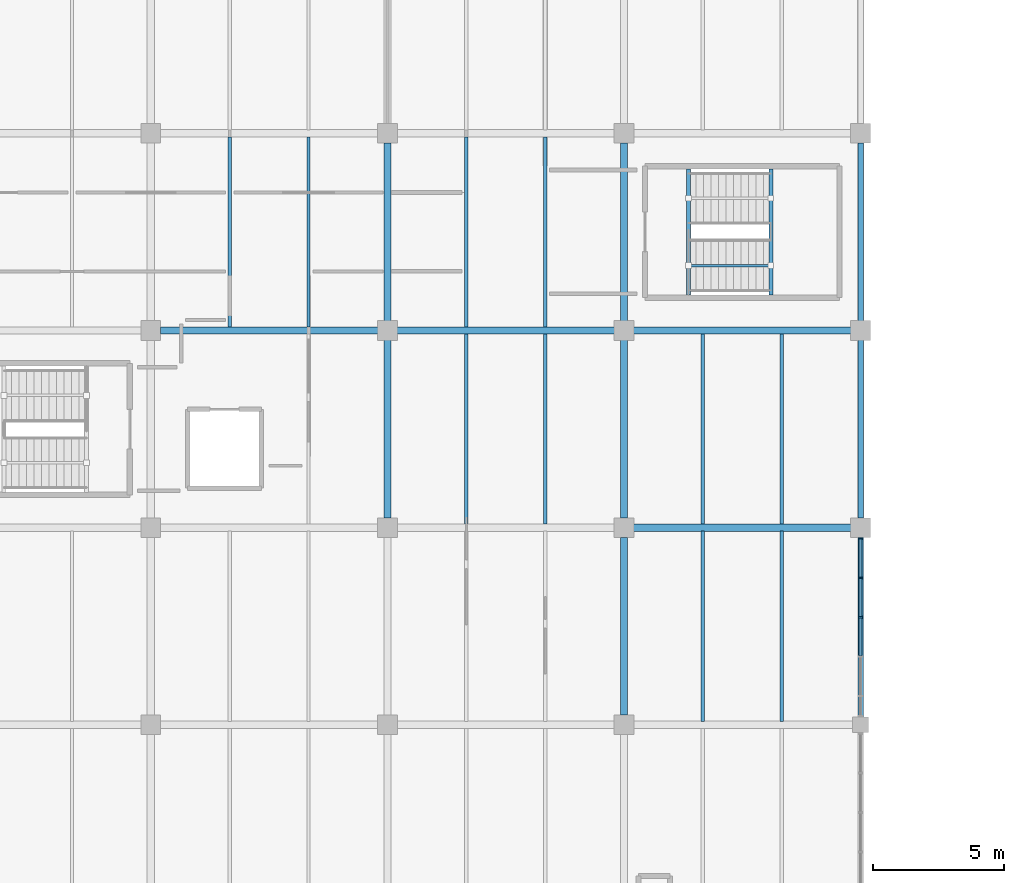
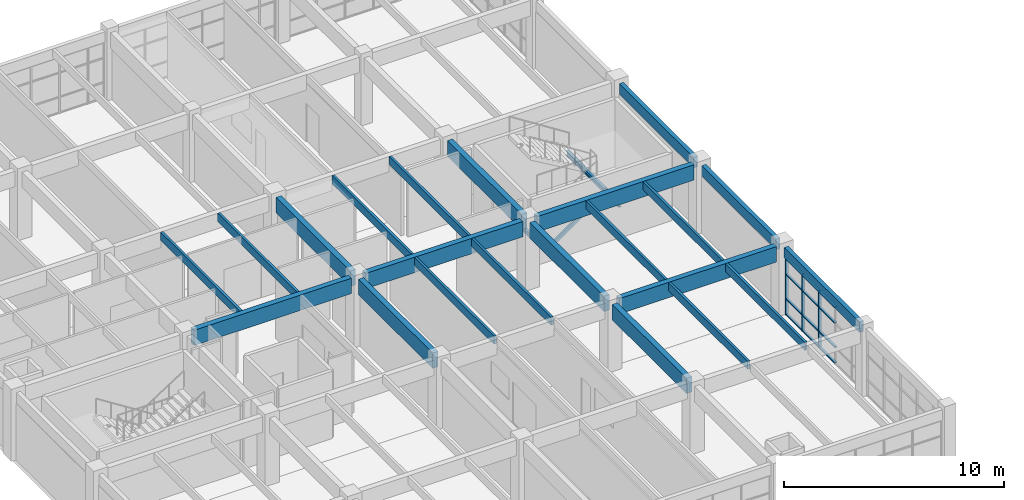
# One storey, part 25 of 76: 24 beams, 16 members, 1 element without a shape of its own.
"""IFC4 building model written with IfcOpenShell, lengths in metres."""

import ifcopenshell
import ifcopenshell.guid

model = None  # the IFC model being written
_history = None  # IfcOwnerHistory: only IFC2X3 demands one
_inside = {}  # id of a spatial element -> (the spatial element, [elements in it])
_under = {}  # id of a project, library or spatial element -> (it, [spatial elements below it])
_declared = {}  # id of a project -> (the project, [libraries it declares])
_typed = {}  # id of a type object -> (the type object, [elements of that type])
_made_of = {}  # id of a material, layer set ... -> (it, [elements and type objects made of it])


def new_model(schema):
    """Start an empty IFC model of exactly this schema.

    Asked for "IFC4X3", IfcOpenShell would pick the latest addendum, in which some entities
    have other attributes; the version numbers below select the first issue.
    IFC2X3 requires an IfcOwnerHistory on every rooted entity: one is made here for all.
    """
    global model, _history
    if schema == "IFC4X3":
        model = ifcopenshell.file(schema_version=(4, 3, 0, 0))
    else:
        model = ifcopenshell.file(schema=schema)
    _inside.clear()
    _under.clear()
    _declared.clear()
    _typed.clear()
    _made_of.clear()
    _history = None
    if model.schema == "IFC2X3":
        org = make("IfcOrganization", Name="unknown")
        user = make(
            "IfcPersonAndOrganization",
            ThePerson=make("IfcPerson", FamilyName="unknown"),
            TheOrganization=org,
        )
        app = make(
            "IfcApplication",
            ApplicationDeveloper=org,
            Version="unknown",
            ApplicationFullName="unknown",
            ApplicationIdentifier="unknown",
        )
        _history = make(
            "IfcOwnerHistory",
            OwningUser=user,
            OwningApplication=app,
            ChangeAction="ADDED",
            CreationDate=0,
        )
    return model


def make(cls, **values):
    """One entity of the class cls with the attributes given. An attribute that is None is left unset."""
    return model.create_entity(
        cls, **{name: value for name, value in values.items() if value is not None}
    )


def rooted(cls, **values):
    """An entity with a GlobalId (a new one), such as an element, a storey or a relation."""
    return make(cls, GlobalId=ifcopenshell.guid.new(), OwnerHistory=_history, **values)


def si_unit(unit_type, name, prefix=None):
    """IfcSIUnit, for example si_unit("LENGTHUNIT", "METRE", prefix="MILLI")."""
    return make("IfcSIUnit", UnitType=unit_type, Prefix=prefix, Name=name)


def assignment(units):
    """IfcUnitAssignment: the units of a project."""
    return None if units is None else make("IfcUnitAssignment", Units=units)


def point(xyz):
    """IfcCartesianPoint."""
    return None if xyz is None else make("IfcCartesianPoint", Coordinates=xyz)


def direction(xyz):
    """IfcDirection."""
    return None if xyz is None else make("IfcDirection", DirectionRatios=xyz)


def frame(location, z_axis=None, x_axis=None):
    """IfcAxis2Placement3D, a coordinate frame: its origin and axes. An axis left out is left unset."""
    return make(
        "IfcAxis2Placement3D",
        Location=point(location),
        Axis=direction(z_axis),
        RefDirection=direction(x_axis),
    )


def frame_2d(location, x_axis=None):
    """IfcAxis2Placement2D, a coordinate frame in the plane: its origin and x axis."""
    return make(
        "IfcAxis2Placement2D", Location=point(location), RefDirection=direction(x_axis)
    )


def origin():
    """The frame at (0, 0, 0) with its axes left unset."""
    return frame((0.0, 0.0, 0.0))


def origin_2d():
    """The frame at (0, 0) in the plane with its x axis left unset."""
    return frame_2d((0.0, 0.0))


def place(relative_to, where):
    """IfcLocalPlacement: puts the frame where relative to a parent placement (None: the world)."""
    return make(
        "IfcLocalPlacement", PlacementRelTo=relative_to, RelativePlacement=where
    )


def context(
    kind, dimensions, precision=None, world=None, true_north=None, identifier=None
):
    """IfcGeometricRepresentationContext, for example the 3D "Model" context."""
    return make(
        "IfcGeometricRepresentationContext",
        ContextIdentifier=identifier,
        ContextType=kind,
        CoordinateSpaceDimension=dimensions,
        Precision=precision,
        WorldCoordinateSystem=world,
        TrueNorth=true_north,
    )


def subcontext(parent, identifier, kind, view, scale=None):
    """IfcGeometricRepresentationSubContext, for example "Body" below "Model"."""
    return make(
        "IfcGeometricRepresentationSubContext",
        ContextIdentifier=identifier,
        ContextType=kind,
        ParentContext=parent,
        TargetScale=scale,
        TargetView=view,
    )


def project(units=None, contexts=None):
    """IfcProject with its units and contexts."""
    return rooted(
        "IfcProject",
        Name="project",
        RepresentationContexts=contexts,
        UnitsInContext=assignment(units),
    )


def spatial(cls, under=None, at=None, **own):
    """A site, building, storey or space (cls), placed at a placement, below another one or the project."""
    s = rooted(cls, ObjectPlacement=at, **own)
    if under is not None:
        _under.setdefault(under.id(), (under, []))[1].append(s)
    return s


def profile(cls, at=None, kind="AREA", **sizes):
    """A parametric profile (cls). Its sizes go by their IFC names, for example OverallWidth=200.0."""
    return make(cls, ProfileType=kind, Position=at, **sizes)


def rectangle(**sizes):
    """IfcRectangleProfileDef."""
    return profile("IfcRectangleProfileDef", **sizes)


def hollow_rectangle(**sizes):
    """IfcRectangleHollowProfileDef."""
    return profile("IfcRectangleHollowProfileDef", **sizes)


def i_section(**sizes):
    """IfcIShapeProfileDef."""
    return profile("IfcIShapeProfileDef", **sizes)


def extrude(swept, where, along, depth):
    """IfcExtrudedAreaSolid: the profile swept, set in the frame where, extruded along a direction by depth."""
    return make(
        "IfcExtrudedAreaSolid",
        SweptArea=swept,
        Position=where,
        ExtrudedDirection=direction(along),
        Depth=depth,
    )


def shape(context_of_items, identifier, shape_type, items):
    """IfcShapeRepresentation: the items that make up one representation, for example the "Body"."""
    return make(
        "IfcShapeRepresentation",
        ContextOfItems=context_of_items,
        RepresentationIdentifier=identifier,
        RepresentationType=shape_type,
        Items=items,
    )


def material(Name=None, Category=None):
    """IfcMaterial."""
    return make("IfcMaterial", Name=Name, Category=Category)


def layer(
    of_material, thickness, ventilated=None, Name=None, Category=None, Priority=None
):
    """IfcMaterialLayer: one layer of a wall or slab, of a material (None: an air gap)."""
    return make(
        "IfcMaterialLayer",
        Material=of_material,
        LayerThickness=thickness,
        IsVentilated=ventilated,
        Name=Name,
        Category=Category,
        Priority=Priority,
    )


def layer_set(layers, Name=None):
    """IfcMaterialLayerSet."""
    return make("IfcMaterialLayerSet", MaterialLayers=layers, LayerSetName=Name)


def material_profile(
    of_material, cross_section, Name=None, Category=None, Priority=None
):
    """IfcMaterialProfile: a cross section and its material."""
    return make(
        "IfcMaterialProfile",
        Name=Name,
        Material=of_material,
        Profile=cross_section,
        Priority=Priority,
        Category=Category,
    )


def profile_set(profiles, Name=None, composite=None):
    """IfcMaterialProfileSet."""
    return make(
        "IfcMaterialProfileSet",
        Name=Name,
        MaterialProfiles=profiles,
        CompositeProfile=composite,
    )


def made_of(thing, what):
    """Note that an element or type object is made of a material, layer set ...; save() writes the relation."""
    if what is not None:
        _made_of.setdefault(what.id(), (what, []))[1].append(thing)
    return thing


def type_object(cls, material=None, **own):
    """A type object (cls), such as IfcWallType, which elements share."""
    return made_of(rooted(cls, **own), material)


def element(
    cls,
    number,
    at=None,
    inside=None,
    cuts=None,
    type_object=None,
    material=None,
    context=None,
    identifier="Body",
    shape_type=None,
    held_by="IfcProductDefinitionShape",
    body=None,
    shapes=None,
    **own,
):
    """One element of the class cls, such as IfcWall. Its Tag is "e" and its number.

    at: its placement. inside: the storey or other place that contains it. cuts: it is an
    opening in that element (IfcRelVoidsElement). A single representation is given by context,
    identifier, shape_type and body (its items); several are given by shapes. held_by: the class
    of the entity that holds the representations. save() writes the other relations.
    """
    e = rooted(cls, Tag="e%d" % number, ObjectPlacement=at, **own)
    if body is not None:
        shapes = [shape(context, identifier, shape_type, body)]
    if shapes is not None:
        e.Representation = make(held_by, Representations=shapes)
    if inside is not None:
        _inside.setdefault(inside.id(), (inside, []))[1].append(e)
    if cuts is not None:
        rooted(
            "IfcRelVoidsElement", RelatingBuildingElement=cuts, RelatedOpeningElement=e
        )
    if type_object is not None:
        _typed.setdefault(type_object.id(), (type_object, []))[1].append(e)
    return made_of(e, material)


def aggregate(whole, parts):
    """IfcRelAggregates: a whole, such as a stair, and the parts it consists of."""
    return rooted("IfcRelAggregates", RelatingObject=whole, RelatedObjects=parts)


def save(model, path):
    """Write the relations noted so far, then the file.

    IfcRelAggregates (storeys below a building ...), IfcRelContainedInSpatialStructure (elements
    in a storey), IfcRelDefinesByType, IfcRelAssociatesMaterial and IfcRelDeclares: one each for
    every whole, place, type object, material and project.
    """
    for whole, parts in _under.values():
        aggregate(whole, parts)
    for where, things in _inside.values():
        rooted(
            "IfcRelContainedInSpatialStructure",
            RelatedElements=things,
            RelatingStructure=where,
        )
    for kind, things in _typed.values():
        rooted("IfcRelDefinesByType", RelatedObjects=things, RelatingType=kind)
    for what, things in _made_of.values():
        rooted("IfcRelAssociatesMaterial", RelatedObjects=things, RelatingMaterial=what)
    for by, libraries in _declared.values():
        rooted("IfcRelDeclares", RelatingContext=by, RelatedDefinitions=libraries)
    model.write(path)


model = new_model("IFC4")

# Units and contexts
model_context = context("Model", 3, precision=1e-05, world=origin(), true_north=direction((0.0, 1.0)))
body_context = subcontext(model_context, "Body", "Model", "MODEL_VIEW")
ifc_project = project(units=[si_unit("LENGTHUNIT", "METRE"), si_unit("AREAUNIT", "SQUARE_METRE"), si_unit("VOLUMEUNIT", "CUBIC_METRE"), si_unit("PLANEANGLEUNIT", "RADIAN"), si_unit("MASSUNIT", "GRAM", prefix="KILO")], contexts=[model_context])

# Site, building, storey
site_placement = place(None, origin())
site = spatial("IfcSite", under=ifc_project, at=site_placement, CompositionType="ELEMENT")
building_placement = place(site_placement, origin())
building = spatial("IfcBuilding", under=site, at=building_placement, Name="Marnridge Secondary College", CompositionType="ELEMENT")
storey_placement = place(building_placement, frame((0.0, 0.0, 4.5)))
storey = spatial("IfcBuildingStorey", under=building, at=storey_placement, Name="L01", CompositionType="ELEMENT", Elevation=4.5)

# Beams
ifc_material_1 = material(Name="Glulam timber GL18", Category="wood")
ifc_material_profile_1 = material_profile(ifc_material_1, rectangle(XDim=0.215087890625, YDim=0.5849609375, at=origin_2d()), Name="GL18 215x585")
ifc_profile_set_1 = profile_set([ifc_material_profile_1], Name="Glulam timber GL18")
beam_type_1 = type_object("IfcBeamType", Name="BM-GL585-EXT", PredefinedType="SPANDREL", material=ifc_profile_set_1)
beam_1_placement = place(storey_placement, frame((90.0, 45.2939453125, 3.447509765625), z_axis=(0.0, 1.0, 0.0), x_axis=(-1.0, 0.0, 0.0)))
element("IfcBeam", 1, at=beam_1_placement, inside=storey, type_object=beam_type_1, Name="Beam BS-L01-0459", PredefinedType="SPANDREL", context=body_context, shape_type="SweptSolid", body=[
    extrude(rectangle(XDim=0.215087890625, YDim=0.5849609375, at=origin_2d()), origin(), (0.0, 0.0, 1.0), 6.837158203125),
])
for number, where, z_axis, x_axis, name in (
    (2, (90.0, 52.868896484375, 3.447509765625), (0.0, 1.0, 0.0), (-1.0, 0.0, 0.0), "Beam BS-L01-0461"),
    (3, (90.0, 60.368896484375, 3.447509765625), (0.0, 1.0, 0.0), (-1.0, 0.0, 0.0), "Beam BS-L01-0463"),
):
    element("IfcBeam", number, at=place(storey_placement, frame(where, z_axis=z_axis, x_axis=x_axis)), inside=storey, type_object=beam_type_1, Name=name, PredefinedType="SPANDREL", context=body_context, shape_type="SweptSolid", body=[
        extrude(rectangle(XDim=0.215087890625, YDim=0.5849609375, at=origin_2d()), origin(), (0.0, 0.0, 1.0), 6.76220703125),
    ])
ifc_material_2 = material(Name="Glulam timber GL18", Category="wood")
ifc_material_profile_2 = material_profile(ifc_material_2, rectangle(XDim=0.280029296875, YDim=0.85498046875, at=origin_2d()), Name="GL18 280x855")
ifc_profile_set_2 = profile_set([ifc_material_profile_2], Name="Glulam timber GL18")
beam_type_2 = type_object("IfcBeamType", Name="BM-GL855-INT", PredefinedType="BEAM", material=ifc_profile_set_2)
beam_2_placement = place(storey_placement, frame((63.368896484375, 60.0, 3.3125), z_axis=(1.0, 0.0, 0.0), x_axis=(0.0, 1.0, 0.0)))
element("IfcBeam", 4, at=beam_2_placement, inside=storey, type_object=beam_type_2, Name="Beam B-L01-0436", PredefinedType="BEAM", context=body_context, shape_type="SweptSolid", body=[
    extrude(rectangle(XDim=0.280029296875, YDim=0.85498046875, at=origin_2d()), origin(), (0.0, 0.0, 1.0), 8.26220703125),
])
for number, where, z_axis, x_axis, name in (
    (5, (72.0, 52.868896484375, 3.3125), (0.0, 1.0, 0.0), (-1.0, 0.0, 0.0), "Beam B-L01-0437"),
    (6, (72.0, 60.368896484375, 3.3125), (0.0, 1.0, 0.0), (-1.0, 0.0, 0.0), "Beam B-L01-0439"),
):
    element("IfcBeam", number, at=place(storey_placement, frame(where, z_axis=z_axis, x_axis=x_axis)), inside=storey, type_object=beam_type_2, Name=name, PredefinedType="BEAM", context=body_context, shape_type="SweptSolid", body=[
        extrude(rectangle(XDim=0.280029296875, YDim=0.85498046875, at=origin_2d()), origin(), (0.0, 0.0, 1.0), 6.76220703125),
    ])
beam_3_placement = place(storey_placement, frame((72.368896484375, 60.0, 3.3125), z_axis=(1.0, 0.0, 0.0), x_axis=(0.0, 1.0, 0.0)))
element("IfcBeam", 7, at=beam_3_placement, inside=storey, type_object=beam_type_2, Name="Beam B-L01-0445", PredefinedType="BEAM", context=body_context, shape_type="SweptSolid", body=[
    extrude(rectangle(XDim=0.280029296875, YDim=0.85498046875, at=origin_2d()), origin(), (0.0, 0.0, 1.0), 8.26220703125),
])
for number, where, z_axis, x_axis, name in (
    (8, (81.0, 52.868896484375, 3.3125), (0.0, 1.0, 0.0), (-1.0, 0.0, 0.0), "Beam B-L01-0446"),
    (9, (81.0, 60.368896484375, 3.3125), (0.0, 1.0, 0.0), (-1.0, 0.0, 0.0), "Beam B-L01-0448"),
):
    element("IfcBeam", number, at=place(storey_placement, frame(where, z_axis=z_axis, x_axis=x_axis)), inside=storey, type_object=beam_type_2, Name=name, PredefinedType="BEAM", context=body_context, shape_type="SweptSolid", body=[
        extrude(rectangle(XDim=0.280029296875, YDim=0.85498046875, at=origin_2d()), origin(), (0.0, 0.0, 1.0), 6.76220703125),
    ])
beam_4_placement = place(storey_placement, frame((81.368896484375, 52.5, 3.3125), z_axis=(1.0, 0.0, 0.0), x_axis=(0.0, 1.0, 0.0)))
element("IfcBeam", 10, at=beam_4_placement, inside=storey, type_object=beam_type_2, Name="Beam B-L01-0457", PredefinedType="BEAM", context=body_context, shape_type="SweptSolid", body=[
    extrude(rectangle(XDim=0.280029296875, YDim=0.85498046875, at=origin_2d()), origin(), (0.0, 0.0, 1.0), 8.26220703125),
])
beam_5_placement = place(storey_placement, frame((81.0, 45.368896484375, 3.3125), z_axis=(0.0, 1.0, 0.0), x_axis=(-1.0, 0.0, 0.0)))
element("IfcBeam", 11, at=beam_5_placement, inside=storey, type_object=beam_type_2, Name="Beam B-L01-0458", PredefinedType="BEAM", context=body_context, shape_type="SweptSolid", body=[
    extrude(rectangle(XDim=0.280029296875, YDim=0.85498046875, at=origin_2d()), origin(), (0.0, 0.0, 1.0), 6.76220703125),
])
beam_6_placement = place(storey_placement, frame((81.368896484375, 60.0, 3.3125), z_axis=(1.0, 0.0, 0.0), x_axis=(0.0, 1.0, 0.0)))
element("IfcBeam", 12, at=beam_6_placement, inside=storey, type_object=beam_type_2, Name="Beam B-L01-0460", PredefinedType="BEAM", context=body_context, shape_type="SweptSolid", body=[
    extrude(rectangle(XDim=0.280029296875, YDim=0.85498046875, at=origin_2d()), origin(), (0.0, 0.0, 1.0), 8.26220703125),
])
ifc_material_3 = material(Name="Engineered timber LVL E13.2", Category="wood")
ifc_material_profile_3 = material_profile(ifc_material_3, rectangle(XDim=0.1259765625, YDim=0.449951171875, at=origin_2d()), Name="LVL 126x450")
ifc_profile_set_3 = profile_set([ifc_material_profile_3], Name="Engineered timber LVL E13.2")
beam_type_3 = type_object("IfcBeamType", Name="BM-LVL450-INT", PredefinedType="JOIST", material=ifc_profile_set_3)
for number, where, z_axis, x_axis, name in (
    (13, (66.0, 60.134033203125, 3.514892578125), (0.0, 1.0, 0.0), (-1.0, 0.0, 0.0), "Beam BJ-L01-0485"),
    (14, (69.0, 60.134033203125, 3.514892578125), (0.0, 1.0, 0.0), (-1.0, 0.0, 0.0), "Beam BJ-L01-0486"),
    (15, (75.0, 52.634033203125, 3.514892578125), (0.0, 1.0, 0.0), (-1.0, 0.0, 0.0), "Beam BJ-L01-0491"),
    (16, (78.0, 52.634033203125, 3.514892578125), (0.0, 1.0, 0.0), (-1.0, 0.0, 0.0), "Beam BJ-L01-0492"),
    (17, (75.0, 60.134033203125, 3.514892578125), (0.0, 1.0, 0.0), (-1.0, 0.0, 0.0), "Beam BJ-L01-0493"),
    (18, (78.0, 60.134033203125, 3.514892578125), (0.0, 1.0, 0.0), (-1.0, 0.0, 0.0), "Beam BJ-L01-0494"),
    (19, (84.0, 45.134033203125, 3.514892578125), (0.0, 1.0, 0.0), (-1.0, 0.0, 0.0), "Beam BJ-L01-0501"),
    (20, (87.0, 45.134033203125, 3.514892578125), (0.0, 1.0, 0.0), (-1.0, 0.0, 0.0), "Beam BJ-L01-0502"),
    (21, (84.0, 52.634033203125, 3.514892578125), (0.0, 1.0, 0.0), (-1.0, 0.0, 0.0), "Beam BJ-L01-0503"),
    (22, (87.0, 52.634033203125, 3.514892578125), (0.0, 1.0, 0.0), (-1.0, 0.0, 0.0), "Beam BJ-L01-0504"),
):
    element("IfcBeam", number, at=place(storey_placement, frame(where, z_axis=z_axis, x_axis=x_axis)), inside=storey, type_object=beam_type_3, Name=name, PredefinedType="JOIST", context=body_context, shape_type="SweptSolid", body=[
        extrude(rectangle(XDim=0.1259765625, YDim=0.449951171875, at=origin_2d()), origin(), (0.0, 0.0, 1.0), 7.23193359375),
    ])
ifc_material_4 = material(Name="Structural steel Grade 350 (AS/NZS 3679.1/.2, fy = 340-360 MPa)", Category="steel")
ifc_material_profile_4 = material_profile(ifc_material_4, i_section(OverallWidth=0.146240234375, OverallDepth=0.256103515625, WebThickness=0.00634765625, FlangeThickness=0.010986328125, FilletRadius=0.0087890625, at=origin_2d()), Name="250UB37.3")
ifc_profile_set_4 = profile_set([ifc_material_profile_4], Name="Structural steel Grade 350 (AS/NZS 3679.1/.2, fy = 340-360 MPa)")
beam_type_4 = type_object("IfcBeamType", Name="BM-UB250-EXT", PredefinedType="LINTEL", material=ifc_profile_set_4)
for number, where, z_axis, x_axis, name in (
    (23, (83.449951171875, 61.342041015625, -0.548095703125), (0.0, 1.0, 0.0), (-1.0, 0.0, 0.0), "Stair landing trimmer beam BT-L01-012"),
    (24, (86.5849609375, 61.342041015625, 1.671875), (0.0, 1.0, 0.0), (-1.0, 0.0, 0.0), "Stair landing trimmer beam BT-L01-013"),
):
    element("IfcBeam", number, at=place(storey_placement, frame(where, z_axis=z_axis, x_axis=x_axis)), inside=storey, type_object=beam_type_4, Name=name, PredefinedType="LINTEL", context=body_context, shape_type="SweptSolid", body=[
        extrude(i_section(OverallWidth=0.146240234375, OverallDepth=0.256103515625, WebThickness=0.00634765625, FlangeThickness=0.010986328125, FilletRadius=0.0087890625, at=origin_2d()), origin(), (0.0, 0.0, 1.0), 4.802978515625),
    ])

# Curtain wall, members
ifc_material_5 = material(Name="Thermally broken aluminium and low-E glazing", Category="aluminium")
ifc_layer = layer(ifc_material_5, 0.159912109375)
ifc_layer_set = layer_set([ifc_layer], Name="CW-MOD-1500")
curtain_wall_type = type_object("IfcCurtainWallType", Name="CW-MOD-1500", PredefinedType="NOTDEFINED", material=ifc_layer_set)
curtain_wall_placement = place(storey_placement, origin())
curtain_wall = element("IfcCurtainWall", 25, at=curtain_wall_placement, inside=storey, type_object=curtain_wall_type, Name="Unitised curtain wall CW-L01-033", PredefinedType="NOTDEFINED")
ifc_material_6 = material(Name="Anodised aluminium 6063-T6", Category="aluminium")
ifc_material_profile_5 = material_profile(ifc_material_6, rectangle(XDim=0.06005859375, YDim=0.159912109375, at=origin_2d()), Name="ALU 60x160")
ifc_profile_set_5 = profile_set([ifc_material_profile_5], Name="Anodised aluminium 6063-T6")
member_type_1 = type_object("IfcMemberType", Name="CWM-ALU160", PredefinedType="MULLION", material=ifc_profile_set_5)
member_1_placement = place(storey_placement, frame((90.0, 52.091064453125, 0.0), z_axis=(0.0, 0.0, 1.0), x_axis=(0.0, -1.0, 0.0)))
member_1 = element("IfcMember", 26, at=member_1_placement, type_object=member_type_1, Name="CW-L01-033 mullion 1", PredefinedType="MULLION", context=body_context, shape_type="SweptSolid", body=[
    extrude(rectangle(XDim=0.06005859375, YDim=0.159912109375, at=origin_2d()), origin(), (0.0, 0.0, 1.0), 3.14697265625),
])
member_2_placement = place(storey_placement, frame((90.0, 50.591064453125, 0.0), z_axis=(0.0, 0.0, 1.0), x_axis=(0.0, -1.0, 0.0)))
member_2 = element("IfcMember", 27, at=member_2_placement, type_object=member_type_1, Name="CW-L01-033 mullion 2", PredefinedType="MULLION", context=body_context, shape_type="SweptSolid", body=[
    extrude(rectangle(XDim=0.06005859375, YDim=0.159912109375, at=origin_2d()), origin(), (0.0, 0.0, 1.0), 3.14697265625),
])
member_3_placement = place(storey_placement, frame((90.0, 49.091064453125, 0.0), z_axis=(0.0, 0.0, 1.0), x_axis=(0.0, -1.0, 0.0)))
member_3 = element("IfcMember", 28, at=member_3_placement, type_object=member_type_1, Name="CW-L01-033 mullion 3", PredefinedType="MULLION", context=body_context, shape_type="SweptSolid", body=[
    extrude(rectangle(XDim=0.06005859375, YDim=0.159912109375, at=origin_2d()), origin(), (0.0, 0.0, 1.0), 3.14697265625),
])
ifc_material_7 = material(Name="Anodised aluminium 6063-T6", Category="aluminium")
ifc_material_profile_6 = material_profile(ifc_material_7, rectangle(XDim=0.06005859375, YDim=0.1201171875, at=origin_2d()), Name="ALU 60x120")
ifc_profile_set_6 = profile_set([ifc_material_profile_6], Name="Anodised aluminium 6063-T6")
member_type_2 = type_object("IfcMemberType", Name="CWT-ALU120", PredefinedType="USERDEFINED", material=ifc_profile_set_6)
member_4_placement = place(storey_placement, frame((90.0, 52.06103515625, 0.030029296875), z_axis=(0.0, -1.0, 0.0), x_axis=(0.0, 0.0, 1.0)))
member_4 = element("IfcMember", 29, at=member_4_placement, type_object=member_type_2, Name="CW-L01-033 transom 1.1", ObjectType="TRANSOM", PredefinedType="USERDEFINED", context=body_context, shape_type="SweptSolid", body=[
    extrude(rectangle(XDim=0.06005859375, YDim=0.1201171875, at=origin_2d()), origin(), (0.0, 0.0, 1.0), 1.43994140625),
])
member_5_placement = place(storey_placement, frame((90.0, 52.06103515625, 0.89990234375), z_axis=(0.0, -1.0, 0.0), x_axis=(0.0, 0.0, 1.0)))
member_5 = element("IfcMember", 30, at=member_5_placement, type_object=member_type_2, Name="CW-L01-033 transom 1.2", ObjectType="TRANSOM", PredefinedType="USERDEFINED", context=body_context, shape_type="SweptSolid", body=[
    extrude(rectangle(XDim=0.06005859375, YDim=0.1201171875, at=origin_2d()), origin(), (0.0, 0.0, 1.0), 1.43994140625),
])
member_6_placement = place(storey_placement, frame((90.0, 52.06103515625, 2.25), z_axis=(0.0, -1.0, 0.0), x_axis=(0.0, 0.0, 1.0)))
member_6 = element("IfcMember", 31, at=member_6_placement, type_object=member_type_2, Name="CW-L01-033 transom 1.3", ObjectType="TRANSOM", PredefinedType="USERDEFINED", context=body_context, shape_type="SweptSolid", body=[
    extrude(rectangle(XDim=0.06005859375, YDim=0.1201171875, at=origin_2d()), origin(), (0.0, 0.0, 1.0), 1.43994140625),
])
member_7_placement = place(storey_placement, frame((90.0, 52.06103515625, 3.116943359375), z_axis=(0.0, -1.0, 0.0), x_axis=(0.0, 0.0, 1.0)))
member_7 = element("IfcMember", 32, at=member_7_placement, type_object=member_type_2, Name="CW-L01-033 transom 1.4", ObjectType="TRANSOM", PredefinedType="USERDEFINED", context=body_context, shape_type="SweptSolid", body=[
    extrude(rectangle(XDim=0.06005859375, YDim=0.1201171875, at=origin_2d()), origin(), (0.0, 0.0, 1.0), 1.43994140625),
])
member_8_placement = place(storey_placement, frame((90.0, 50.56103515625, 0.030029296875), z_axis=(0.0, -1.0, 0.0), x_axis=(0.0, 0.0, 1.0)))
member_8 = element("IfcMember", 33, at=member_8_placement, type_object=member_type_2, Name="CW-L01-033 transom 2.1", ObjectType="TRANSOM", PredefinedType="USERDEFINED", context=body_context, shape_type="SweptSolid", body=[
    extrude(rectangle(XDim=0.06005859375, YDim=0.1201171875, at=origin_2d()), origin(), (0.0, 0.0, 1.0), 1.43994140625),
])
member_9_placement = place(storey_placement, frame((90.0, 50.56103515625, 0.89990234375), z_axis=(0.0, -1.0, 0.0), x_axis=(0.0, 0.0, 1.0)))
member_9 = element("IfcMember", 34, at=member_9_placement, type_object=member_type_2, Name="CW-L01-033 transom 2.2", ObjectType="TRANSOM", PredefinedType="USERDEFINED", context=body_context, shape_type="SweptSolid", body=[
    extrude(rectangle(XDim=0.06005859375, YDim=0.1201171875, at=origin_2d()), origin(), (0.0, 0.0, 1.0), 1.43994140625),
])
member_10_placement = place(storey_placement, frame((90.0, 50.56103515625, 2.25), z_axis=(0.0, -1.0, 0.0), x_axis=(0.0, 0.0, 1.0)))
member_10 = element("IfcMember", 35, at=member_10_placement, type_object=member_type_2, Name="CW-L01-033 transom 2.3", ObjectType="TRANSOM", PredefinedType="USERDEFINED", context=body_context, shape_type="SweptSolid", body=[
    extrude(rectangle(XDim=0.06005859375, YDim=0.1201171875, at=origin_2d()), origin(), (0.0, 0.0, 1.0), 1.43994140625),
])
member_11_placement = place(storey_placement, frame((90.0, 50.56103515625, 3.116943359375), z_axis=(0.0, -1.0, 0.0), x_axis=(0.0, 0.0, 1.0)))
member_11 = element("IfcMember", 36, at=member_11_placement, type_object=member_type_2, Name="CW-L01-033 transom 2.4", ObjectType="TRANSOM", PredefinedType="USERDEFINED", context=body_context, shape_type="SweptSolid", body=[
    extrude(rectangle(XDim=0.06005859375, YDim=0.1201171875, at=origin_2d()), origin(), (0.0, 0.0, 1.0), 1.43994140625),
])
member_12_placement = place(storey_placement, frame((90.0, 49.06103515625, 0.030029296875), z_axis=(0.0, -1.0, 0.0), x_axis=(0.0, 0.0, 1.0)))
member_12 = element("IfcMember", 37, at=member_12_placement, type_object=member_type_2, Name="CW-L01-033 transom 3.1", ObjectType="TRANSOM", PredefinedType="USERDEFINED", context=body_context, shape_type="SweptSolid", body=[
    extrude(rectangle(XDim=0.06005859375, YDim=0.1201171875, at=origin_2d()), origin(), (0.0, 0.0, 1.0), 1.43994140625),
])
member_13_placement = place(storey_placement, frame((90.0, 49.06103515625, 0.89990234375), z_axis=(0.0, -1.0, 0.0), x_axis=(0.0, 0.0, 1.0)))
member_13 = element("IfcMember", 38, at=member_13_placement, type_object=member_type_2, Name="CW-L01-033 transom 3.2", ObjectType="TRANSOM", PredefinedType="USERDEFINED", context=body_context, shape_type="SweptSolid", body=[
    extrude(rectangle(XDim=0.06005859375, YDim=0.1201171875, at=origin_2d()), origin(), (0.0, 0.0, 1.0), 1.43994140625),
])
member_14_placement = place(storey_placement, frame((90.0, 49.06103515625, 2.25), z_axis=(0.0, -1.0, 0.0), x_axis=(0.0, 0.0, 1.0)))
member_14 = element("IfcMember", 39, at=member_14_placement, type_object=member_type_2, Name="CW-L01-033 transom 3.3", ObjectType="TRANSOM", PredefinedType="USERDEFINED", context=body_context, shape_type="SweptSolid", body=[
    extrude(rectangle(XDim=0.06005859375, YDim=0.1201171875, at=origin_2d()), origin(), (0.0, 0.0, 1.0), 1.43994140625),
])
member_15_placement = place(storey_placement, frame((90.0, 49.06103515625, 3.116943359375), z_axis=(0.0, -1.0, 0.0), x_axis=(0.0, 0.0, 1.0)))
member_15 = element("IfcMember", 40, at=member_15_placement, type_object=member_type_2, Name="CW-L01-033 transom 3.4", ObjectType="TRANSOM", PredefinedType="USERDEFINED", context=body_context, shape_type="SweptSolid", body=[
    extrude(rectangle(XDim=0.06005859375, YDim=0.1201171875, at=origin_2d()), origin(), (0.0, 0.0, 1.0), 1.43994140625),
])
aggregate(curtain_wall, [member_1, member_2, member_3, member_4, member_5, member_6, member_7, member_8, member_9, member_10, member_11, member_12, member_13, member_14, member_15])

# Member
ifc_material_8 = material(Name="Cold-formed steel Grade C350L0 (AS/NZS 1163, fy = 350 MPa)", Category="steel")
ifc_material_profile_7 = material_profile(ifc_material_8, hollow_rectangle(XDim=0.10009765625, YDim=0.199951171875, WallThickness=0.006103515625, at=origin_2d()), Name="200x100x6.0RHS")
ifc_profile_set_7 = profile_set([ifc_material_profile_7], Name="Cold-formed steel Grade C350L0 (AS/NZS 1163, fy = 350 MPa)")
member_type_3 = type_object("IfcMemberType", Name="MB-STR-RHS200", PredefinedType="STRINGER", material=ifc_profile_set_7)
member_16_placement = place(storey_placement, frame((83.449951171875, 62.469970703125, -0.327880859375), z_axis=(0.816105661402, 0.0, 0.577902716231), x_axis=(0.0, 1.0, 0.0)))
element("IfcMember", 41, at=member_16_placement, inside=storey, type_object=member_type_3, Name="Stair stringer STR-013", PredefinedType="STRINGER", context=body_context, shape_type="SweptSolid", body=[
    extrude(hollow_rectangle(XDim=0.10009765625, YDim=0.199951171875, WallThickness=0.006103515625, at=origin_2d()), origin(), (0.0, 0.0, 1.0), 3.84130859375),
])

save(model, "model.ifc")
